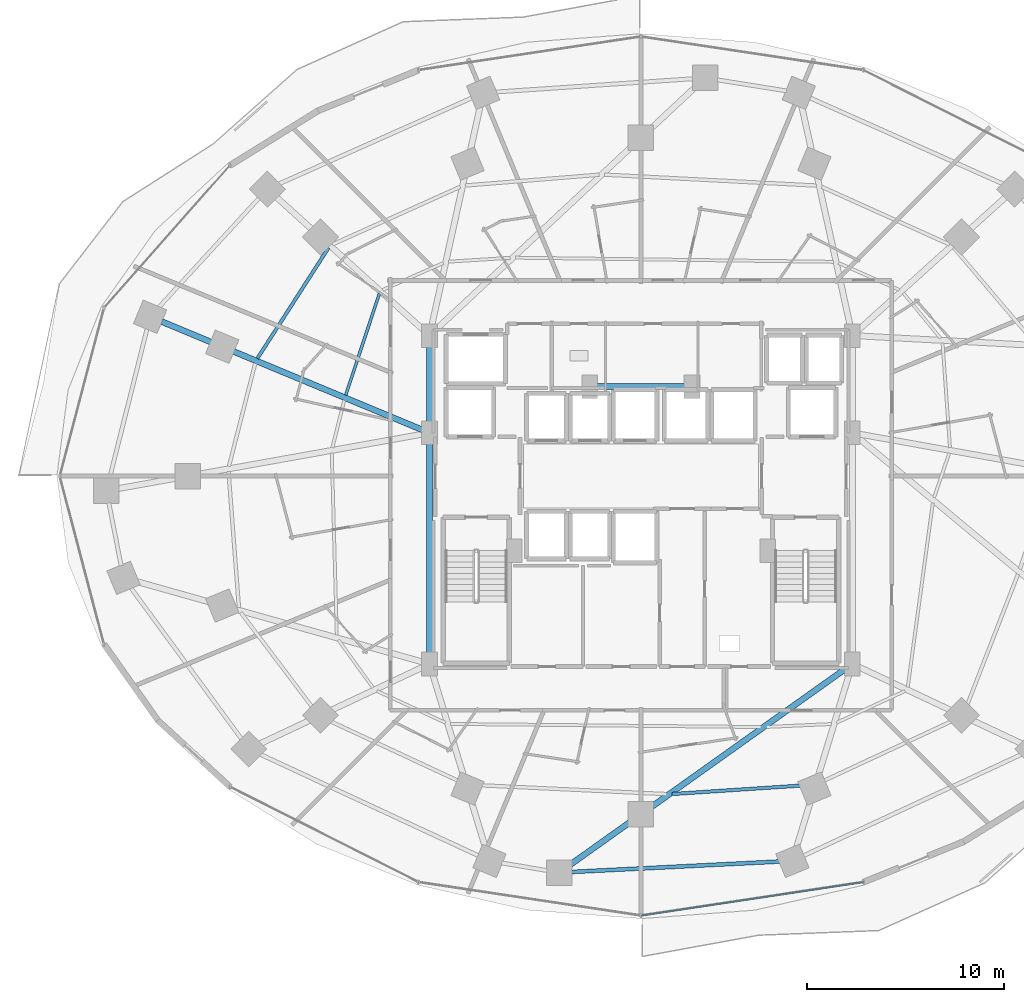
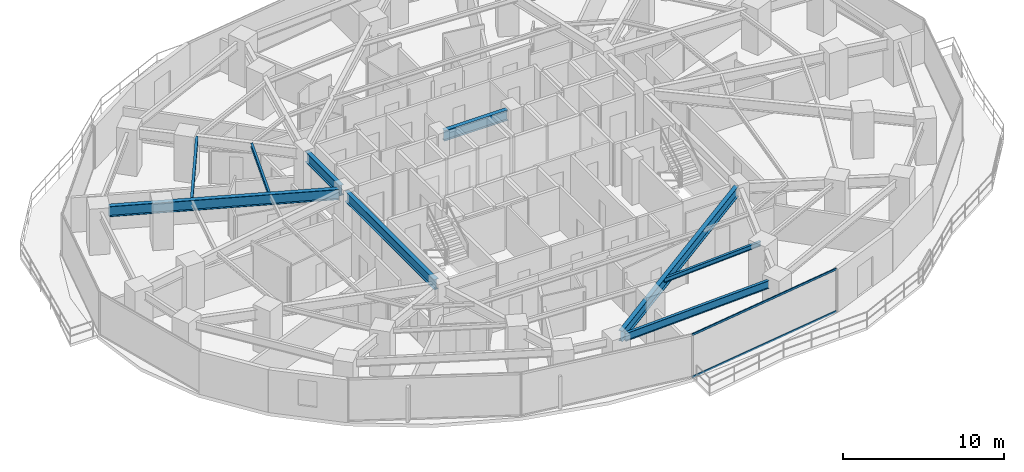
# One storey, part 11 of 34: 9 beams, 2 members, 1 element without a shape of its own.
"""IFC4 building model written with IfcOpenShell, lengths in metres."""

from ifc_helpers import new_model, si_unit, direction, frame, origin, origin_2d, place, context, subcontext, project, spatial, hollow_rectangle, i_section, extrude, material, material_profile, profile_set, type_object, element, aggregate, save


model = new_model("IFC4")

# Units and contexts
model_context = context("Model", 3, precision=1e-05, world=origin(), true_north=direction((0.0, 1.0)))
body_context = subcontext(model_context, "Body", "Model", "MODEL_VIEW")
ifc_project = project(units=[si_unit("LENGTHUNIT", "METRE"), si_unit("AREAUNIT", "SQUARE_METRE"), si_unit("VOLUMEUNIT", "CUBIC_METRE"), si_unit("PLANEANGLEUNIT", "RADIAN"), si_unit("MASSUNIT", "GRAM", prefix="KILO")], contexts=[model_context])

# Site, building, storey
site_placement = place(None, origin())
site = spatial("IfcSite", under=ifc_project, at=site_placement, CompositionType="ELEMENT")
building_placement = place(site_placement, origin())
building = spatial("IfcBuilding", under=site, at=building_placement, Name="Vorneva Point Tower", CompositionType="ELEMENT")
storey_placement = place(building_placement, frame((0.0, 0.0, 27.5)))
storey = spatial("IfcBuildingStorey", under=building, at=storey_placement, Name="L06", CompositionType="ELEMENT", Elevation=27.5)

# Beams
ifc_material_1 = material(Name="Steel S355", Category="steel")
ifc_material_profile_1 = material_profile(ifc_material_1, i_section(OverallWidth=0.300048828125, OverallDepth=0.7880859375, WebThickness=0.014404296875, FlangeThickness=0.02197265625, at=origin_2d()), Name="80Sh1")
ifc_profile_set_1 = profile_set([ifc_material_profile_1], Name="Steel S355")
beam_type_1 = type_object("IfcBeamType", Name="BM-GRD-80Sh1", PredefinedType="USERDEFINED", material=ifc_profile_set_1)
beam_1_placement = place(storey_placement, frame((13.62841796875, 33.860595703125, 2.845947265625), z_axis=(0.923441399183, -0.383739471874, 0.0), x_axis=(0.383739471874, 0.923441399183, 0.0)))
element("IfcBeam", 1, at=beam_1_placement, inside=storey, type_object=beam_type_1, Name="L06 Radial Primary Girder 08", ObjectType="GIRDER", PredefinedType="USERDEFINED", context=body_context, shape_type="SweptSolid", body=[
    extrude(i_section(OverallWidth=0.300048828125, OverallDepth=0.7880859375, WebThickness=0.014404296875, FlangeThickness=0.02197265625, at=origin_2d()), origin(), (0.0, 0.0, 1.0), 14.410888671875),
])
beam_2_placement = place(storey_placement, frame((34.360107421875, 6.209716796875, 2.845947265625), z_axis=(0.814752171819, 0.579809363943, 0.0), x_axis=(-0.579809363943, 0.814752171819, 0.0)))
element("IfcBeam", 2, at=beam_2_placement, inside=storey, type_object=beam_type_1, Name="L06 Radial Primary Girder 13", ObjectType="GIRDER", PredefinedType="USERDEFINED", context=body_context, shape_type="SweptSolid", body=[
    extrude(i_section(OverallWidth=0.300048828125, OverallDepth=0.7880859375, WebThickness=0.014404296875, FlangeThickness=0.02197265625, at=origin_2d()), origin(), (0.0, 0.0, 1.0), 17.321533203125),
])
beam_3_placement = place(storey_placement, frame((27.25, 16.77001953125, 2.845947265625), z_axis=(0.0, 1.0, 0.0), x_axis=(-1.0, 0.0, 0.0)))
element("IfcBeam", 3, at=beam_3_placement, inside=storey, type_object=beam_type_1, Name="L06 Core Tie Girder CT1", ObjectType="GIRDER", PredefinedType="USERDEFINED", context=body_context, shape_type="SweptSolid", body=[
    extrude(i_section(OverallWidth=0.300048828125, OverallDepth=0.7880859375, WebThickness=0.014404296875, FlangeThickness=0.02197265625, at=origin_2d()), origin(), (0.0, 0.0, 1.0), 11.10986328125),
])
beam_4_placement = place(storey_placement, frame((27.25, 28.52001953125, 2.845947265625), z_axis=(0.0, 1.0, 0.0), x_axis=(-1.0, 0.0, 0.0)))
element("IfcBeam", 4, at=beam_4_placement, inside=storey, type_object=beam_type_1, Name="L06 Core Tie Girder CT2", ObjectType="GIRDER", PredefinedType="USERDEFINED", context=body_context, shape_type="SweptSolid", body=[
    extrude(i_section(OverallWidth=0.300048828125, OverallDepth=0.7880859375, WebThickness=0.014404296875, FlangeThickness=0.02197265625, at=origin_2d()), origin(), (0.0, 0.0, 1.0), 4.31005859375),
])
beam_5_placement = place(storey_placement, frame((35.719970703125, 30.550048828125, 2.845947265625), z_axis=(1.0, 0.0, 0.0), x_axis=(0.0, 1.0, 0.0)))
element("IfcBeam", 5, at=beam_5_placement, inside=storey, type_object=beam_type_1, Name="L06 Core Tie Girder CT8", ObjectType="GIRDER", PredefinedType="USERDEFINED", context=body_context, shape_type="SweptSolid", body=[
    extrude(i_section(OverallWidth=0.300048828125, OverallDepth=0.7880859375, WebThickness=0.014404296875, FlangeThickness=0.02197265625, at=origin_2d()), origin(), (0.0, 0.0, 1.0), 4.56005859375),
])
ifc_material_profile_2 = material_profile(ifc_material_1, i_section(OverallWidth=0.14892578125, OverallDepth=0.298095703125, WebThickness=0.005615234375, FlangeThickness=0.008056640625, at=origin_2d()), Name="30B1")
ifc_profile_set_2 = profile_set([ifc_material_profile_2], Name="Steel S355")
beam_type_2 = type_object("IfcBeamType", Name="BM-JST-30B1", PredefinedType="JOIST", material=ifc_profile_set_2)
beam_6_placement = place(storey_placement, frame((24.69775390625, 35.28515625, 3.091064453125), z_axis=(-0.314436704085, -0.949278441304, 0.0), x_axis=(0.949278441304, -0.314436704085, 0.0)))
element("IfcBeam", 6, at=beam_6_placement, inside=storey, type_object=beam_type_2, Name="L06 Secondary Floor Beam 2.07", PredefinedType="JOIST", context=body_context, shape_type="SweptSolid", body=[
    extrude(i_section(OverallWidth=0.14892578125, OverallDepth=0.298095703125, WebThickness=0.005615234375, FlangeThickness=0.008056640625, at=origin_2d()), origin(), (0.0, 0.0, 1.0), 5.4404296875),
])
ifc_material_profile_3 = material_profile(ifc_material_1, i_section(OverallWidth=0.174072265625, OverallDepth=0.345947265625, WebThickness=0.006103515625, FlangeThickness=0.009033203125, at=origin_2d()), Name="35B1")
ifc_profile_set_3 = profile_set([ifc_material_profile_3], Name="Steel S355")
beam_type_3 = type_object("IfcBeamType", Name="BM-SEC-35B1", PredefinedType="BEAM", material=ifc_profile_set_3)
beam_7_placement = place(storey_placement, frame((22.109130859375, 37.610107421875, 3.06689453125), z_axis=(-0.540744672728, -0.841186780041, 0.0), x_axis=(0.841186780041, -0.540744672728, 0.0)))
element("IfcBeam", 7, at=beam_7_placement, inside=storey, type_object=beam_type_3, Name="L06 Secondary Floor Beam 1.07", PredefinedType="BEAM", context=body_context, shape_type="SweptSolid", body=[
    extrude(i_section(OverallWidth=0.174072265625, OverallDepth=0.345947265625, WebThickness=0.006103515625, FlangeThickness=0.009033203125, at=origin_2d()), origin(), (0.0, 0.0, 1.0), 6.68603515625),
])
beam_8_placement = place(storey_placement, frame((39.57861328125, 9.83447265625, 3.06689453125), z_axis=(0.997852471527, 0.065501489053, 0.0), x_axis=(-0.065501489053, 0.997852471527, 0.0)))
element("IfcBeam", 8, at=beam_8_placement, inside=storey, type_object=beam_type_3, Name="L06 Secondary Floor Beam 1.13", PredefinedType="BEAM", context=body_context, shape_type="SweptSolid", body=[
    extrude(i_section(OverallWidth=0.174072265625, OverallDepth=0.345947265625, WebThickness=0.006103515625, FlangeThickness=0.009033203125, at=origin_2d()), origin(), (0.0, 0.0, 1.0), 7.182373046875),
])
ifc_material_profile_4 = material_profile(ifc_material_1, i_section(OverallWidth=0.198974609375, OverallDepth=0.595947265625, WebThickness=0.010009765625, FlangeThickness=0.014892578125, at=origin_2d()), Name="60B1")
ifc_profile_set_4 = profile_set([ifc_material_profile_4], Name="Steel S355")
beam_type_4 = type_object("IfcBeamType", Name="BM-SPN-60B1", PredefinedType="SPANDREL", material=ifc_profile_set_4)
beam_9_placement = place(storey_placement, frame((34.474609375, 5.87158203125, 2.94189453125), z_axis=(0.998742793008, 0.050128169866, 0.0), x_axis=(-0.050128169866, 0.998742793008, 0.0)))
element("IfcBeam", 9, at=beam_9_placement, inside=storey, type_object=beam_type_4, Name="L06 Perimeter Spandrel Ring Beam 13", PredefinedType="SPANDREL", context=body_context, shape_type="SweptSolid", body=[
    extrude(i_section(OverallWidth=0.198974609375, OverallDepth=0.595947265625, WebThickness=0.010009765625, FlangeThickness=0.014892578125, at=origin_2d()), origin(), (0.0, 0.0, 1.0), 10.607666015625),
])

# Curtain wall, members
ifc_material_2 = material(Name="Pale anodised aluminium", Category="aluminium")
curtain_wall_type = type_object("IfcCurtainWallType", Name="CW-HTL-SYS", PredefinedType="NOTDEFINED", material=ifc_material_2)
curtain_wall_placement = place(storey_placement, origin())
curtain_wall = element("IfcCurtainWall", 10, at=curtain_wall_placement, inside=storey, type_object=curtain_wall_type, Name="L06 Unitised Curtain Wall CW-L06-R04", PredefinedType="NOTDEFINED")
ifc_material_profile_5 = material_profile(ifc_material_2, hollow_rectangle(XDim=0.074951171875, YDim=0.14990234375, WallThickness=0.00390625, at=origin_2d()), Name="AL-TRN 150x75x4")
ifc_profile_set_5 = profile_set([ifc_material_profile_5], Name="Pale anodised aluminium")
member_type = type_object("IfcMemberType", Name="CW-TRN-150", PredefinedType="USERDEFINED", material=ifc_profile_set_5)
member_1_placement = place(storey_placement, frame((38.0, 3.64990234375, 0.02001953125), z_axis=(0.988870014575, 0.148782036131, 0.0), x_axis=(-0.148782036131, 0.988870014575, 0.0)))
member_1 = element("IfcMember", 11, at=member_1_placement, type_object=member_type, Name="CW-L06-R04 Transom 03.1", ObjectType="TRANSOM", PredefinedType="USERDEFINED", context=body_context, shape_type="SweptSolid", body=[
    extrude(hollow_rectangle(XDim=0.074951171875, YDim=0.14990234375, WallThickness=0.00390625, at=origin_2d()), origin(), (0.0, 0.0, 1.0), 11.435546875),
])
member_2_placement = place(storey_placement, frame((38.0, 3.64990234375, 3.219970703125), z_axis=(0.988870014575, 0.148782036131, 0.0), x_axis=(-0.148782036131, 0.988870014575, 0.0)))
member_2 = element("IfcMember", 12, at=member_2_placement, type_object=member_type, Name="CW-L06-R04 Transom 03.2", ObjectType="TRANSOM", PredefinedType="USERDEFINED", context=body_context, shape_type="SweptSolid", body=[
    extrude(hollow_rectangle(XDim=0.074951171875, YDim=0.14990234375, WallThickness=0.00390625, at=origin_2d()), origin(), (0.0, 0.0, 1.0), 11.435546875),
])
aggregate(curtain_wall, [member_1, member_2])

save(model, "model.ifc")
